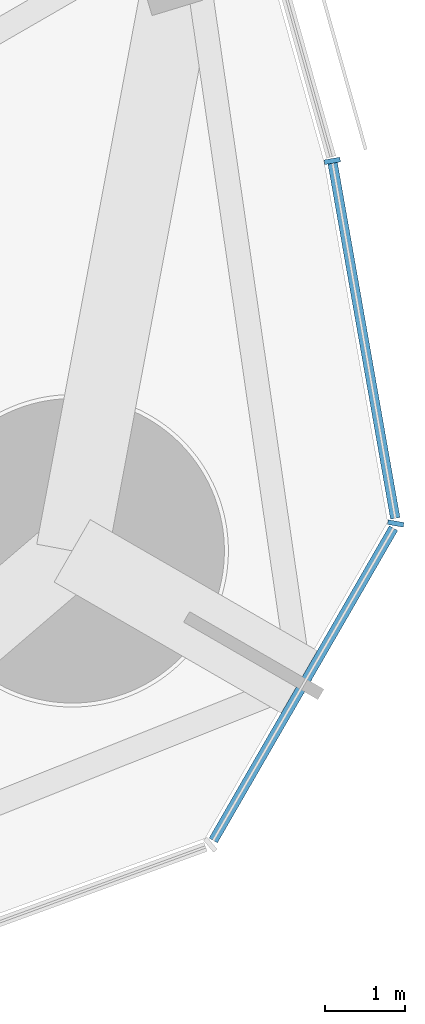
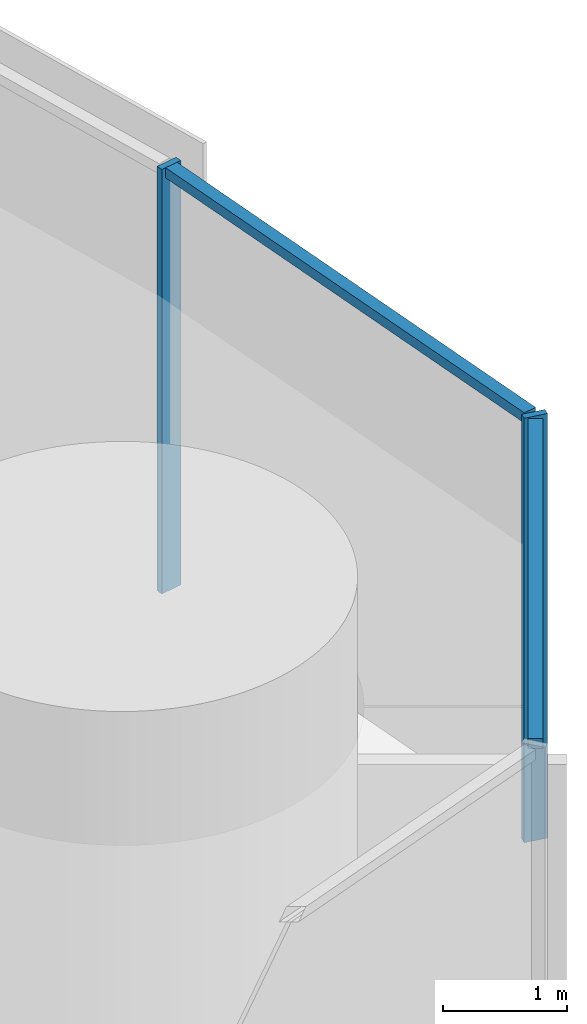
# One storey, part 9 of 18: 4 members, 1 element without a shape of its own.
"""IFC4 building model written with IfcOpenShell, lengths in metres."""

from ifc_helpers import new_model, si_unit, direction, frame, origin, origin_2d, place, context, subcontext, project, spatial, rectangle, extrude, material, material_profile, profile_set, type_object, element, aggregate, save


model = new_model("IFC4")

# Units and contexts
model_context = context("Model", 3, precision=1e-05, world=origin(), true_north=direction((0.0, 1.0)))
body_context = subcontext(model_context, "Body", "Model", "MODEL_VIEW")
ifc_project = project(units=[si_unit("LENGTHUNIT", "METRE"), si_unit("AREAUNIT", "SQUARE_METRE"), si_unit("VOLUMEUNIT", "CUBIC_METRE"), si_unit("PLANEANGLEUNIT", "RADIAN"), si_unit("MASSUNIT", "GRAM", prefix="KILO")], contexts=[model_context])

# Site, building, storey
site_placement = place(None, origin())
site = spatial("IfcSite", under=ifc_project, at=site_placement, CompositionType="ELEMENT")
building_placement = place(site_placement, origin())
building = spatial("IfcBuilding", under=site, at=building_placement, Name="Trefoil Bronze Tower", CompositionType="ELEMENT")
storey_placement = place(building_placement, frame((0.0, 0.0, 202.300048828125)))
storey = spatial("IfcBuildingStorey", under=building, at=storey_placement, Name="L46", CompositionType="ELEMENT", Elevation=202.300048828125)

# Curtain wall, members
ifc_material_1 = material(Name="Tinted solar-control glass", Category="glass")
curtain_wall_type = type_object("IfcCurtainWallType", Name="Bronze rounded corner curtain wall", PredefinedType="USERDEFINED", material=ifc_material_1)
curtain_wall_placement = place(storey_placement, origin())
curtain_wall = element("IfcCurtainWall", 1, at=curtain_wall_placement, inside=storey, type_object=curtain_wall_type, Name="CW-B L46 K1", ObjectType="CURTAIN WALL", PredefinedType="USERDEFINED")
ifc_material_2 = material(Name="Bronze-finish aluminium", Category="aluminium")
ifc_material_profile_1 = material_profile(ifc_material_2, rectangle(XDim=0.199951171875, YDim=0.06005859375, at=origin_2d()), Name="CW-B mullion")
ifc_profile_set_1 = profile_set([ifc_material_profile_1], Name="Bronze-finish aluminium")
member_type_1 = type_object("IfcMemberType", Name="Bronze rounded corner curtain wall mullion", PredefinedType="MULLION", material=ifc_profile_set_1)
member_1_placement = place(storey_placement, frame((32.616943359375, -16.158935546875, 0.0), z_axis=(0.0, 0.0, 1.0), x_axis=(-0.984807753012, 0.173648177667, 0.0)))
member_1 = element("IfcMember", 2, at=member_1_placement, type_object=member_type_1, Name="CW-B L46 K1 mullion 3", PredefinedType="MULLION", context=body_context, shape_type="SweptSolid", body=[
    extrude(rectangle(XDim=0.199951171875, YDim=0.06005859375, at=origin_2d()), origin(), (0.0, 0.0, 1.0), 4.179931640625),
])
member_2_placement = place(storey_placement, frame((31.824951171875, -11.63330078125, 0.0), z_axis=(0.0, 0.0, 1.0), x_axis=(-0.984807753012, -0.173648177667, 0.0)))
member_2 = element("IfcMember", 3, at=member_2_placement, type_object=member_type_1, Name="CW-B L46 K1 mullion 4", PredefinedType="MULLION", context=body_context, shape_type="SweptSolid", body=[
    extrude(rectangle(XDim=0.199951171875, YDim=0.06005859375, at=origin_2d()), origin(), (0.0, 0.0, 1.0), 4.179931640625),
])
ifc_material_3 = material(Name="Bronze-finish aluminium", Category="aluminium")
ifc_material_profile_2 = material_profile(ifc_material_3, rectangle(XDim=0.1201171875, YDim=0.10009765625, at=origin_2d()), Name="CW-B transom")
ifc_profile_set_2 = profile_set([ifc_material_profile_2], Name="Bronze-finish aluminium")
member_type_2 = type_object("IfcMemberType", Name="Bronze rounded corner curtain wall transom", PredefinedType="USERDEFINED", material=ifc_profile_set_2)
member_3_placement = place(storey_placement, frame((30.33984375, -20.114990234375, 4.1298828125), z_axis=(0.500007335828, 0.866021168401, 0.0), x_axis=(-0.866021168401, 0.500007335828, 0.0)))
member_3 = element("IfcMember", 4, at=member_3_placement, type_object=member_type_2, Name="CW-B L46 K1 transom 2", ObjectType="TRANSOM", PredefinedType="USERDEFINED", context=body_context, shape_type="SweptSolid", body=[
    extrude(rectangle(XDim=0.1201171875, YDim=0.10009765625, at=origin_2d()), origin(), (0.0, 0.0, 1.0), 4.50048828125),
])
member_4_placement = place(storey_placement, frame((32.611572265625, -16.0947265625, 4.1298828125), z_axis=(-0.173655350028, 0.984806488304, 0.0), x_axis=(-0.984806488304, -0.173655350028, 0.0)))
member_4 = element("IfcMember", 5, at=member_4_placement, type_object=member_type_2, Name="CW-B L46 K1 transom 3", ObjectType="TRANSOM", PredefinedType="USERDEFINED", context=body_context, shape_type="SweptSolid", body=[
    extrude(rectangle(XDim=0.1201171875, YDim=0.10009765625, at=origin_2d()), origin(), (0.0, 0.0, 1.0), 4.500244140625),
])
aggregate(curtain_wall, [member_1, member_2, member_3, member_4])

save(model, "model.ifc")
